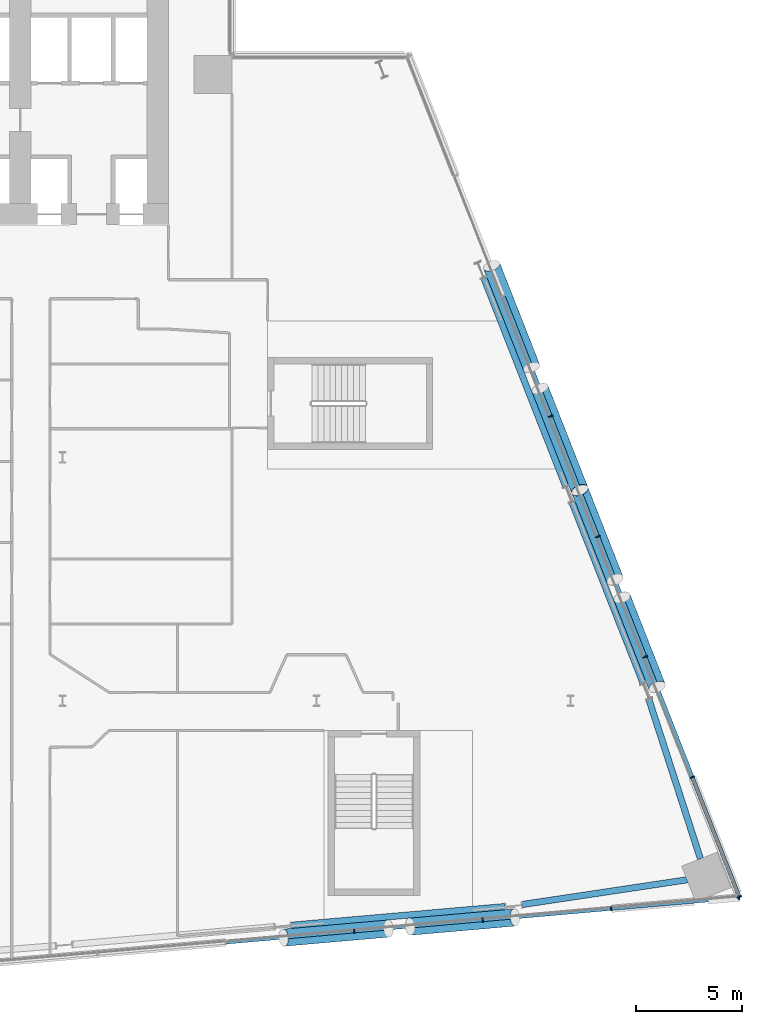
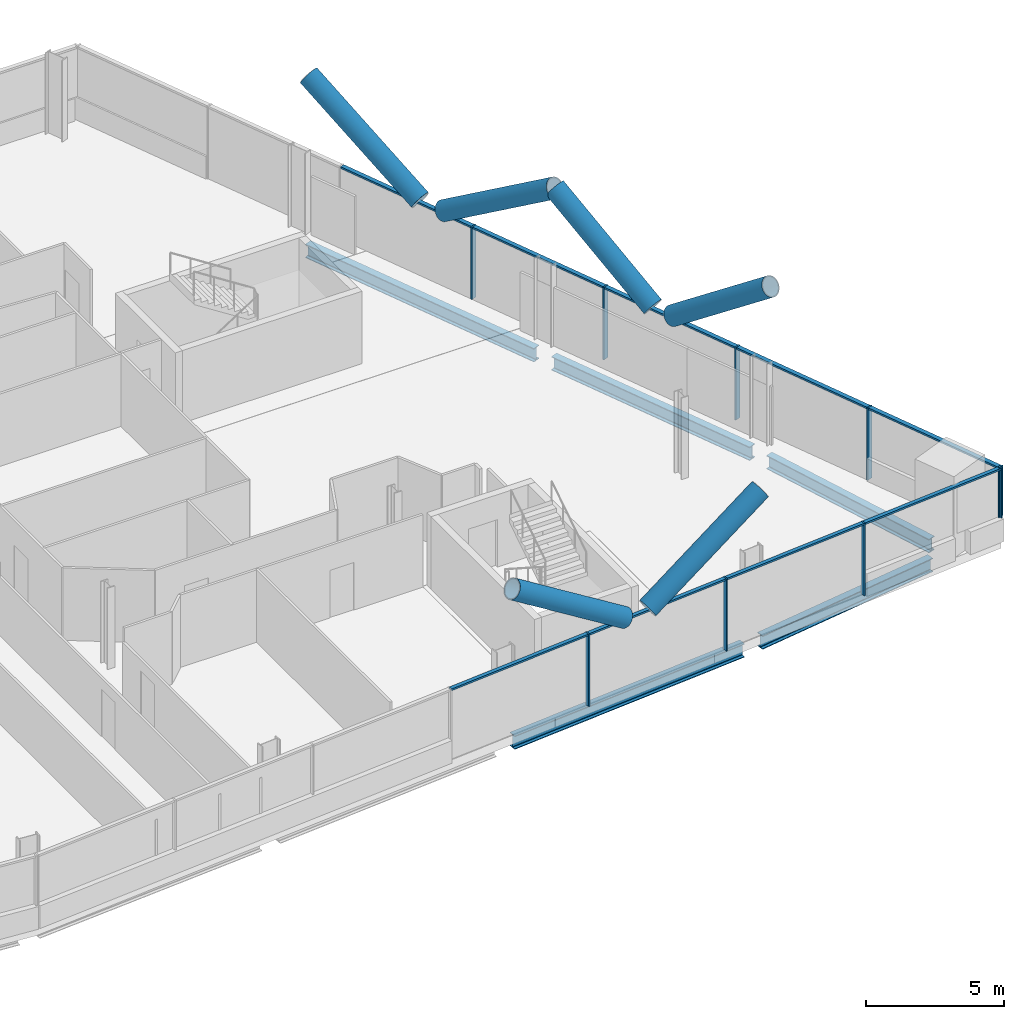
# One storey, part 10 of 27: 24 members, 5 beams, 2 elements without a shape of their own.
"""IFC4 building model written with IfcOpenShell, lengths in metres."""

from ifc_helpers import new_model, si_unit, direction, frame, origin, origin_2d, place, context, subcontext, project, spatial, rectangle, hollow_circle, i_section, extrude, material, material_profile, profile_set, type_object, element, aggregate, save


model = new_model("IFC4")

# Units and contexts
model_context = context("Model", 3, precision=1e-05, world=origin(), true_north=direction((0.0, 1.0)))
body_context = subcontext(model_context, "Body", "Model", "MODEL_VIEW")
ifc_project = project(units=[si_unit("LENGTHUNIT", "METRE"), si_unit("AREAUNIT", "SQUARE_METRE"), si_unit("VOLUMEUNIT", "CUBIC_METRE"), si_unit("PLANEANGLEUNIT", "RADIAN"), si_unit("MASSUNIT", "GRAM", prefix="KILO")], contexts=[model_context])

# Site, building, storey
site_placement = place(None, origin())
site = spatial("IfcSite", under=ifc_project, at=site_placement, CompositionType="ELEMENT")
building_placement = place(site_placement, origin())
building = spatial("IfcBuilding", under=site, at=building_placement, Name="Wharfspan Tower", CompositionType="ELEMENT")
storey_placement = place(building_placement, frame((0.0, 0.0, 118.300049)))
storey = spatial("IfcBuildingStorey", under=building, at=storey_placement, Name="L27", CompositionType="ELEMENT", Elevation=118.300049)

# Beams
ifc_material_1 = material(Name="Steel S355J2", Category="steel")
ifc_material_profile_1 = material_profile(ifc_material_1, i_section(OverallWidth=0.300049, OverallDepth=0.600098, WebThickness=0.015381, FlangeThickness=0.030029, FilletRadius=0.0271, at=origin_2d()))
ifc_profile_set_1 = profile_set([ifc_material_profile_1], Name="Steel S355J2")
beam_type = type_object("IfcBeamType", Name="Edge beam HEB 600", PredefinedType="SPANDREL", material=ifc_profile_set_1)
beam_1_placement = place(storey_placement, frame((70.805664, 0.887695, -0.699951), z_axis=(0.996194, 0.087159, 0.0), x_axis=(-0.087159, 0.996194, 0.0)))
element("IfcBeam", 1, at=beam_1_placement, inside=storey, type_object=beam_type, Name="Edge beam S2 L27 PS2.2 to PS2.3", PredefinedType="SPANDREL", context=body_context, shape_type="SweptSolid", body=[
    extrude(i_section(OverallWidth=0.300049, OverallDepth=0.600098, WebThickness=0.015381, FlangeThickness=0.030029, FilletRadius=0.0271, at=origin_2d()), origin(), (0.0, 0.0, 1.0), 10.159424),
])
beam_2_placement = place(storey_placement, frame((81.727295, 1.868408, -0.699951), z_axis=(0.988926, 0.148412, 0.0), x_axis=(-0.148412, 0.988926, 0.0)))
element("IfcBeam", 2, at=beam_2_placement, inside=storey, type_object=beam_type, Name="Edge beam S2 L27 PS2.3 to MC4", PredefinedType="SPANDREL", context=body_context, shape_type="SweptSolid", body=[
    extrude(i_section(OverallWidth=0.300049, OverallDepth=0.600098, WebThickness=0.015381, FlangeThickness=0.030029, FilletRadius=0.0271, at=origin_2d()), origin(), (0.0, 0.0, 1.0), 7.87793),
])
beam_3_placement = place(storey_placement, frame((90.150879, 4.02832, -0.699951), z_axis=(-0.307851, 0.951434, 0.0), x_axis=(-0.951434, -0.307851, 0.0)))
element("IfcBeam", 3, at=beam_3_placement, inside=storey, type_object=beam_type, Name="Edge beam E L27 MC4 to PE.1", PredefinedType="SPANDREL", context=body_context, shape_type="SweptSolid", body=[
    extrude(i_section(OverallWidth=0.300049, OverallDepth=0.600098, WebThickness=0.015381, FlangeThickness=0.030029, FilletRadius=0.0271, at=origin_2d()), origin(), (0.0, 0.0, 1.0), 7.924805),
])
beam_4_placement = place(storey_placement, frame((87.439453, 12.327637, -0.699951), z_axis=(-0.365779, 0.930702, 0.0), x_axis=(-0.930702, -0.365779, 0.0)))
element("IfcBeam", 4, at=beam_4_placement, inside=storey, type_object=beam_type, Name="Edge beam E L27 PE.1 to PE.2", PredefinedType="SPANDREL", context=body_context, shape_type="SweptSolid", body=[
    extrude(i_section(OverallWidth=0.300049, OverallDepth=0.600098, WebThickness=0.015381, FlangeThickness=0.030029, FilletRadius=0.0271, at=origin_2d()), origin(), (0.0, 0.0, 1.0), 9.184814),
])
beam_5_placement = place(storey_placement, frame((83.785156, 21.625977, -0.699951), z_axis=(-0.365789, 0.930698, 0.0), x_axis=(-0.930698, -0.365789, 0.0)))
element("IfcBeam", 5, at=beam_5_placement, inside=storey, type_object=beam_type, Name="Edge beam E L27 PE.2 to PE.3", PredefinedType="SPANDREL", context=body_context, shape_type="SweptSolid", body=[
    extrude(i_section(OverallWidth=0.300049, OverallDepth=0.600098, WebThickness=0.015381, FlangeThickness=0.030029, FilletRadius=0.0271, at=origin_2d()), origin(), (0.0, 0.0, 1.0), 10.584961),
])

# Curtain wall, members
ifc_material_2 = material(Name="Aluminium 6063-T6", Category="aluminium")
curtain_wall_type_1 = type_object("IfcCurtainWallType", Name="CURTAIN WALL FACETED FRONT", PredefinedType="NOTDEFINED", material=ifc_material_2)
curtain_wall_1_placement = place(storey_placement, origin())
curtain_wall_1 = element("IfcCurtainWall", 6, at=curtain_wall_1_placement, inside=storey, type_object=curtain_wall_type_1, Name="Curtain wall S2", PredefinedType="NOTDEFINED")
ifc_material_profile_2 = material_profile(ifc_material_2, rectangle(XDim=0.199951, YDim=0.060059, at=origin_2d()))
ifc_profile_set_2 = profile_set([ifc_material_profile_2], Name="Aluminium 6063-T6")
member_type_1 = type_object("IfcMemberType", Name="MULLION FACETED FRONT 60x200", PredefinedType="MULLION", material=ifc_profile_set_2)
member_1_placement = place(storey_placement, frame((73.785645, 0.606445, 0.0), z_axis=(0.0, 0.0, 1.0), x_axis=(-0.087156, 0.996198, 0.0)))
member_1 = element("IfcMember", 7, at=member_1_placement, type_object=member_type_1, Name="Curtain wall S2 mullion 5", PredefinedType="MULLION", context=body_context, shape_type="SweptSolid", body=[
    extrude(rectangle(XDim=0.199951, YDim=0.060059, at=origin_2d()), origin(), (0.0, 0.0, 1.0), 3.199951),
])
member_2_placement = place(storey_placement, frame((79.857178, 1.137695, 0.0), z_axis=(0.0, 0.0, 1.0), x_axis=(-0.087156, 0.996198, 0.0)))
member_2 = element("IfcMember", 8, at=member_2_placement, type_object=member_type_1, Name="Curtain wall S2 mullion 6", PredefinedType="MULLION", context=body_context, shape_type="SweptSolid", body=[
    extrude(rectangle(XDim=0.199951, YDim=0.060059, at=origin_2d()), origin(), (0.0, 0.0, 1.0), 3.199951),
])
member_3_placement = place(storey_placement, frame((85.928467, 1.668701, 0.0), z_axis=(0.0, 0.0, 1.0), x_axis=(-0.087156, 0.996198, 0.0)))
member_3 = element("IfcMember", 9, at=member_3_placement, type_object=member_type_1, Name="Curtain wall S2 mullion 7", PredefinedType="MULLION", context=body_context, shape_type="SweptSolid", body=[
    extrude(rectangle(XDim=0.199951, YDim=0.060059, at=origin_2d()), origin(), (0.0, 0.0, 1.0), 3.199951),
])
member_4_placement = place(storey_placement, frame((91.970215, 2.197266, 1.0), z_axis=(0.0, 0.0, 1.0), x_axis=(-0.087156, 0.996198, 0.0)))
member_4 = element("IfcMember", 10, at=member_4_placement, type_object=member_type_1, Name="Curtain wall S2 mullion 8", PredefinedType="MULLION", context=body_context, shape_type="SweptSolid", body=[
    extrude(rectangle(XDim=0.199951, YDim=0.060059, at=origin_2d()), origin(), (0.0, 0.0, 1.0), 2.199951),
])

curtain_wall_type_2 = type_object("IfcCurtainWallType", Name="CURTAIN WALL PROW AND END", PredefinedType="NOTDEFINED", material=ifc_material_2)
curtain_wall_2_placement = place(storey_placement, origin())
curtain_wall_2 = element("IfcCurtainWall", 11, at=curtain_wall_2_placement, inside=storey, type_object=curtain_wall_type_2, Name="Curtain wall E", PredefinedType="NOTDEFINED")
ifc_material_profile_3 = material_profile(ifc_material_2, rectangle(XDim=0.23999, YDim=0.060059, at=origin_2d()))
ifc_profile_set_3 = profile_set([ifc_material_profile_3], Name="Aluminium 6063-T6")
member_type_2 = type_object("IfcMemberType", Name="MULLION PROW AND END 60x240", PredefinedType="MULLION", material=ifc_profile_set_3)
member_5_placement = place(storey_placement, frame((91.989014, 2.228027, 1.0), z_axis=(0.0, 0.0, 1.0), x_axis=(-0.930702, -0.365778, 0.0)))
member_5 = element("IfcMember", 12, at=member_5_placement, type_object=member_type_2, Name="Curtain wall E mullion 1", PredefinedType="MULLION", context=body_context, shape_type="SweptSolid", body=[
    extrude(rectangle(XDim=0.23999, YDim=0.060059, at=origin_2d()), origin(), (0.0, 0.0, 1.0), 2.199951),
])
member_6_placement = place(storey_placement, frame((89.765381, 7.885742, 0.0), z_axis=(0.0, 0.0, 1.0), x_axis=(-0.930702, -0.365778, 0.0)))
member_6 = element("IfcMember", 13, at=member_6_placement, type_object=member_type_2, Name="Curtain wall E mullion 2", PredefinedType="MULLION", context=body_context, shape_type="SweptSolid", body=[
    extrude(rectangle(XDim=0.23999, YDim=0.060059, at=origin_2d()), origin(), (0.0, 0.0, 1.0), 3.199951),
])
member_7_placement = place(storey_placement, frame((87.530762, 13.571533, 0.0), z_axis=(0.0, 0.0, 1.0), x_axis=(-0.930702, -0.365778, 0.0)))
member_7 = element("IfcMember", 14, at=member_7_placement, type_object=member_type_2, Name="Curtain wall E mullion 3", PredefinedType="MULLION", context=body_context, shape_type="SweptSolid", body=[
    extrude(rectangle(XDim=0.23999, YDim=0.060059, at=origin_2d()), origin(), (0.0, 0.0, 1.0), 3.199951),
])
member_8_placement = place(storey_placement, frame((85.296387, 19.25708, 0.0), z_axis=(0.0, 0.0, 1.0), x_axis=(-0.930702, -0.365778, 0.0)))
member_8 = element("IfcMember", 15, at=member_8_placement, type_object=member_type_2, Name="Curtain wall E mullion 4", PredefinedType="MULLION", context=body_context, shape_type="SweptSolid", body=[
    extrude(rectangle(XDim=0.23999, YDim=0.060059, at=origin_2d()), origin(), (0.0, 0.0, 1.0), 3.199951),
])
member_9_placement = place(storey_placement, frame((83.061768, 24.942871, 0.0), z_axis=(0.0, 0.0, 1.0), x_axis=(-0.930702, -0.365778, 0.0)))
member_9 = element("IfcMember", 16, at=member_9_placement, type_object=member_type_2, Name="Curtain wall E mullion 5", PredefinedType="MULLION", context=body_context, shape_type="SweptSolid", body=[
    extrude(rectangle(XDim=0.23999, YDim=0.060059, at=origin_2d()), origin(), (0.0, 0.0, 1.0), 3.199951),
])

# Members
ifc_material_3 = material(Name="Steel S460NH", Category="steel")
ifc_material_profile_4 = material_profile(ifc_material_3, hollow_circle(Radius=0.406494, WallThickness=0.040039, at=origin_2d()))
ifc_profile_set_4 = profile_set([ifc_material_profile_4], Name="Steel S460NH")
member_type_3 = type_object("IfcMemberType", Name="Mega brace CHS 813x40", PredefinedType="BRACE", material=ifc_profile_set_4)
member_10_placement = place(storey_placement, frame((76.427002, 0.82251, 3.237793), z_axis=(0.832724, 0.07283, 0.548878), x_axis=(-0.087128, 0.996197, 1e-06)))
element("IfcMember", 17, at=member_10_placement, inside=storey, type_object=member_type_3, Name="Mega brace S2 L27 part 2", PredefinedType="BRACE", context=body_context, shape_type="SweptSolid", body=[
    extrude(hollow_circle(Radius=0.406494, WallThickness=0.040039, at=origin_2d()), origin(), (0.0, 0.0, 1.0), 5.943359),
])
member_11_placement = place(storey_placement, frame((75.401855, 0.73291, 3.237793), z_axis=(-0.832734, -0.072869, 0.548858), x_axis=(0.087173, -0.99619, 1e-06)))
element("IfcMember", 18, at=member_11_placement, inside=storey, type_object=member_type_3, Name="Mega brace S2 L27 part 4", PredefinedType="BRACE", context=body_context, shape_type="SweptSolid", body=[
    extrude(hollow_circle(Radius=0.406494, WallThickness=0.040039, at=origin_2d()), origin(), (0.0, 0.0, 1.0), 5.943604),
])
for number, where, z_axis, x_axis, name in (
    (19, (82.168213, 27.257812, 3.241455), (-0.309216, 0.786692, 0.534323), (-0.93069, -0.365817, 2e-06), "Mega brace E5 L27 part 2"),
    (20, (82.563477, 26.251709, 3.241455), (0.30918, -0.786702, 0.534329), (0.930701, 0.36577, -4e-06), "Mega brace E5 L27 part 4"),
):
    element("IfcMember", number, at=place(storey_placement, frame(where, z_axis=z_axis, x_axis=x_axis)), inside=storey, type_object=member_type_3, Name=name, PredefinedType="BRACE", context=body_context, shape_type="SweptSolid", body=[
        extrude(hollow_circle(Radius=0.406494, WallThickness=0.040039, at=origin_2d()), origin(), (0.0, 0.0, 1.0), 6.098389),
    ])
member_12_placement = place(storey_placement, frame((86.109863, 17.228027, 3.227783), z_axis=(-0.29675, 0.75507, 0.584645), x_axis=(-0.930704, -0.365779, 4e-06)))
element("IfcMember", 21, at=member_12_placement, inside=storey, type_object=member_type_3, Name="Mega brace E6 L27 part 2", PredefinedType="BRACE", context=body_context, shape_type="SweptSolid", body=[
    extrude(hollow_circle(Radius=0.406494, WallThickness=0.040039, at=origin_2d()), origin(), (0.0, 0.0, 1.0), 5.596924),
])
member_13_placement = place(storey_placement, frame((86.442627, 16.381348, 3.227783), z_axis=(0.29676, -0.755051, 0.584664), x_axis=(0.930695, 0.365797, 4e-06)))
element("IfcMember", 22, at=member_13_placement, inside=storey, type_object=member_type_3, Name="Mega brace E6 L27 part 4", PredefinedType="BRACE", context=body_context, shape_type="SweptSolid", body=[
    extrude(hollow_circle(Radius=0.406494, WallThickness=0.040039, at=origin_2d()), origin(), (0.0, 0.0, 1.0), 5.59668),
])

# Member
ifc_material_profile_5 = material_profile(ifc_material_2, rectangle(XDim=0.159912, YDim=0.080078, at=origin_2d()))
ifc_profile_set_5 = profile_set([ifc_material_profile_5], Name="Aluminium 6063-T6")
member_type_4 = type_object("IfcMemberType", Name="TRANSOM FACETED FRONT 80x160", PredefinedType="USERDEFINED", material=ifc_profile_set_5)
member_14_placement = place(storey_placement, frame((67.744141, 0.077881, 3.159912), z_axis=(0.996196, 0.087143, 0.0), x_axis=(-0.087143, 0.996196, 0.0)))
member_14 = element("IfcMember", 23, at=member_14_placement, type_object=member_type_4, Name="Curtain wall S2 transom 4", ObjectType="TRANSOM", PredefinedType="USERDEFINED", context=body_context, shape_type="SweptSolid", body=[
    extrude(rectangle(XDim=0.159912, YDim=0.080078, at=origin_2d()), origin(), (0.0, 0.0, 1.0), 6.034668),
])

member_15_placement = place(storey_placement, frame((73.815674, 0.609131, 3.159912), z_axis=(0.996196, 0.087146, 0.0), x_axis=(-0.087146, 0.996196, 0.0)))
member_15 = element("IfcMember", 24, at=member_15_placement, type_object=member_type_4, Name="Curtain wall S2 transom 5", ObjectType="TRANSOM", PredefinedType="USERDEFINED", context=body_context, shape_type="SweptSolid", body=[
    extrude(rectangle(XDim=0.159912, YDim=0.080078, at=origin_2d()), origin(), (0.0, 0.0, 1.0), 6.034424),
])

member_16_placement = place(storey_placement, frame((79.886963, 1.140137, 3.159912), z_axis=(0.996192, 0.087183, 0.0), x_axis=(-0.087183, 0.996192, 0.0)))
member_16 = element("IfcMember", 25, at=member_16_placement, type_object=member_type_4, Name="Curtain wall S2 transom 6", ObjectType="TRANSOM", PredefinedType="USERDEFINED", context=body_context, shape_type="SweptSolid", body=[
    extrude(rectangle(XDim=0.159912, YDim=0.080078, at=origin_2d()), origin(), (0.0, 0.0, 1.0), 6.034668),
])

member_17_placement = place(storey_placement, frame((85.958496, 1.671387, 3.159912), z_axis=(0.996193, 0.087174, 0.0), x_axis=(-0.087174, 0.996193, 0.0)))
member_17 = element("IfcMember", 26, at=member_17_placement, type_object=member_type_4, Name="Curtain wall S2 transom 7", ObjectType="TRANSOM", PredefinedType="USERDEFINED", context=body_context, shape_type="SweptSolid", body=[
    extrude(rectangle(XDim=0.159912, YDim=0.080078, at=origin_2d()), origin(), (0.0, 0.0, 1.0), 6.004639),
])

aggregate(curtain_wall_1, [member_1, member_2, member_3, member_4, member_14, member_15, member_16, member_17])

ifc_material_profile_6 = material_profile(ifc_material_2, rectangle(XDim=0.179932, YDim=0.080078, at=origin_2d()))
ifc_profile_set_6 = profile_set([ifc_material_profile_6], Name="Aluminium 6063-T6")
member_type_5 = type_object("IfcMemberType", Name="TRANSOM PROW AND END 80x180", PredefinedType="USERDEFINED", material=ifc_profile_set_6)
member_18_placement = place(storey_placement, frame((91.978027, 2.255859, 3.159912), z_axis=(-0.365775, 0.930703, 0.0), x_axis=(-0.930703, -0.365775, 0.0)))
member_18 = element("IfcMember", 27, at=member_18_placement, type_object=member_type_5, Name="Curtain wall E transom 1", ObjectType="TRANSOM", PredefinedType="USERDEFINED", context=body_context, shape_type="SweptSolid", body=[
    extrude(rectangle(XDim=0.179932, YDim=0.080078, at=origin_2d()), origin(), (0.0, 0.0, 1.0), 6.019043),
])

member_19_placement = place(storey_placement, frame((89.754395, 7.913574, 3.159912), z_axis=(-0.365782, 0.9307, 0.0), x_axis=(-0.9307, -0.365782, 0.0)))
member_19 = element("IfcMember", 28, at=member_19_placement, type_object=member_type_5, Name="Curtain wall E transom 2", ObjectType="TRANSOM", PredefinedType="USERDEFINED", context=body_context, shape_type="SweptSolid", body=[
    extrude(rectangle(XDim=0.179932, YDim=0.080078, at=origin_2d()), origin(), (0.0, 0.0, 1.0), 6.049072),
])

member_20_placement = place(storey_placement, frame((87.52002, 13.599365, 3.159912), z_axis=(-0.365782, 0.9307, 0.0), x_axis=(-0.9307, -0.365782, 0.0)))
member_20 = element("IfcMember", 29, at=member_20_placement, type_object=member_type_5, Name="Curtain wall E transom 3", ObjectType="TRANSOM", PredefinedType="USERDEFINED", context=body_context, shape_type="SweptSolid", body=[
    extrude(rectangle(XDim=0.179932, YDim=0.080078, at=origin_2d()), origin(), (0.0, 0.0, 1.0), 6.049072),
])

member_21_placement = place(storey_placement, frame((85.2854, 19.285156, 3.159912), z_axis=(-0.365782, 0.9307, 0.0), x_axis=(-0.9307, -0.365782, 0.0)))
member_21 = element("IfcMember", 30, at=member_21_placement, type_object=member_type_5, Name="Curtain wall E transom 4", ObjectType="TRANSOM", PredefinedType="USERDEFINED", context=body_context, shape_type="SweptSolid", body=[
    extrude(rectangle(XDim=0.179932, YDim=0.080078, at=origin_2d()), origin(), (0.0, 0.0, 1.0), 6.049072),
])

member_22_placement = place(storey_placement, frame((83.050781, 24.970703, 3.159912), z_axis=(-0.365782, 0.9307, 0.0), x_axis=(-0.9307, -0.365782, 0.0)))
member_22 = element("IfcMember", 31, at=member_22_placement, type_object=member_type_5, Name="Curtain wall E transom 5", ObjectType="TRANSOM", PredefinedType="USERDEFINED", context=body_context, shape_type="SweptSolid", body=[
    extrude(rectangle(XDim=0.179932, YDim=0.080078, at=origin_2d()), origin(), (0.0, 0.0, 1.0), 6.049072),
])

aggregate(curtain_wall_2, [member_5, member_6, member_7, member_8, member_9, member_18, member_19, member_20, member_21, member_22])

save(model, "model.ifc")
